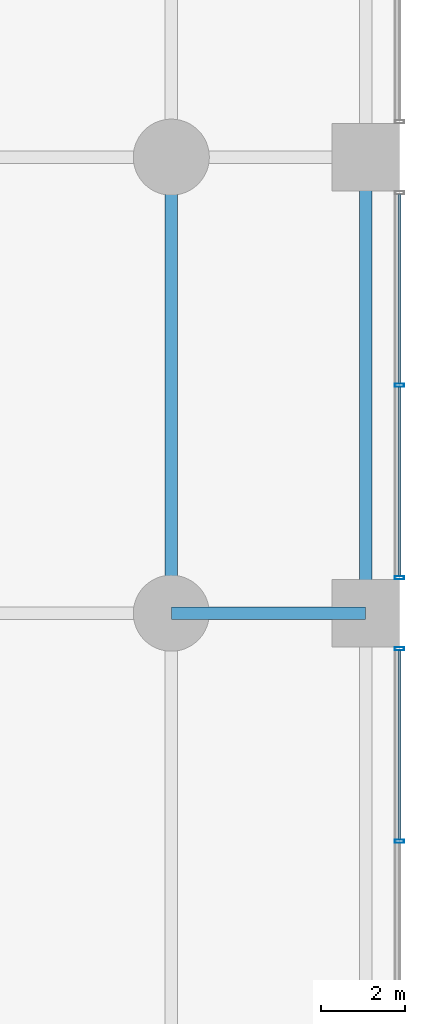
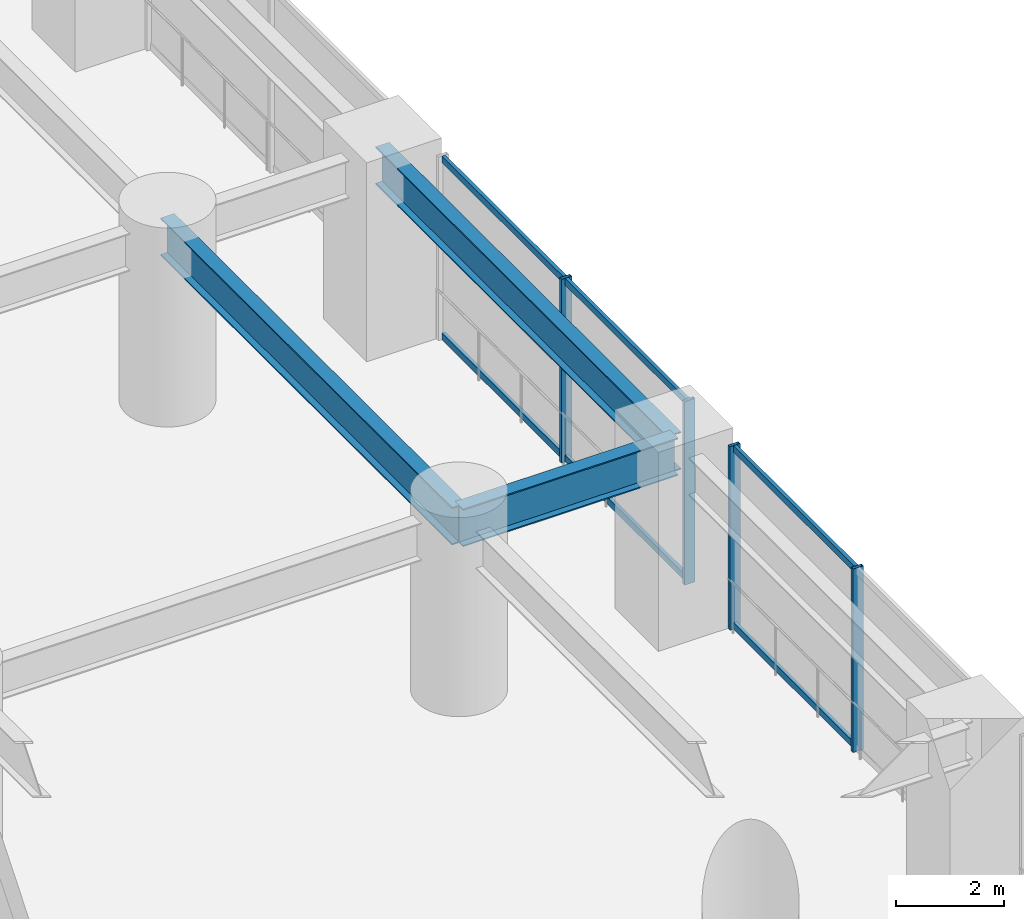
# One storey, part 20 of 35: 10 members, 3 beams, 2 elements without a shape of their own.
"""IFC4 building model written with IfcOpenShell, lengths in metres."""

from ifc_helpers import new_model, si_unit, direction, frame, origin, origin_2d, place, context, subcontext, project, spatial, hollow_rectangle, i_section, extrude, material, layer, layer_set, material_profile, profile_set, type_object, element, aggregate, save


model = new_model("IFC4")

# Units and contexts
model_context = context("Model", 3, precision=1e-05, world=origin(), true_north=direction((0.0, 1.0)))
body_context = subcontext(model_context, "Body", "Model", "MODEL_VIEW")
ifc_project = project(units=[si_unit("LENGTHUNIT", "METRE"), si_unit("AREAUNIT", "SQUARE_METRE"), si_unit("VOLUMEUNIT", "CUBIC_METRE"), si_unit("PLANEANGLEUNIT", "RADIAN"), si_unit("MASSUNIT", "GRAM", prefix="KILO")], contexts=[model_context])

# Site, building, storey
site_placement = place(None, origin())
site = spatial("IfcSite", under=ifc_project, at=site_placement, CompositionType="ELEMENT")
building_placement = place(site_placement, origin())
building = spatial("IfcBuilding", under=site, at=building_placement, Name="Surkhivell Harbour Commons", CompositionType="ELEMENT")
storey_placement = place(building_placement, frame((0.0, 0.0, 13.5)))
storey = spatial("IfcBuildingStorey", under=building, at=storey_placement, Name="L03", CompositionType="ELEMENT", Elevation=13.5)

# Beams
ifc_material_1 = material(Name="Steel S460", Category="steel")
ifc_material_profile_1 = material_profile(ifc_material_1, i_section(OverallWidth=0.2939453125, OverallDepth=0.85107421875, WebThickness=0.01611328125, FlangeThickness=0.02685546875, at=origin_2d()), Name="UB838x292x226")
ifc_profile_set_1 = profile_set([ifc_material_profile_1], Name="Steel S460")
beam_type = type_object("IfcBeamType", Name="BM-SPN-838", PredefinedType="SPANDREL", material=ifc_profile_set_1)
beam_1_placement = place(storey_placement, frame((32.39990234375, -10.800048828125, 3.724609375), z_axis=(0.0, 1.0, 0.0), x_axis=(-1.0, 0.0, 0.0)))
element("IfcBeam", 1, at=beam_1_placement, inside=storey, type_object=beam_type, Name="L03 Framing Beam (32.4,-10.8)", PredefinedType="SPANDREL", context=body_context, shape_type="SweptSolid", body=[
    extrude(i_section(OverallWidth=0.2939453125, OverallDepth=0.85107421875, WebThickness=0.01611328125, FlangeThickness=0.02685546875, at=origin_2d()), origin(), (0.0, 0.0, 1.0), 10.800048828125),
])
beam_2_placement = place(storey_placement, frame((32.39990234375, -10.800048828125, 3.724609375), z_axis=(1.0, 0.0, 0.0), x_axis=(0.0, 1.0, 0.0)))
element("IfcBeam", 2, at=beam_2_placement, inside=storey, type_object=beam_type, Name="L03 Framing Beam (32.4,-10.8)", PredefinedType="SPANDREL", context=body_context, shape_type="SweptSolid", body=[
    extrude(i_section(OverallWidth=0.2939453125, OverallDepth=0.85107421875, WebThickness=0.01611328125, FlangeThickness=0.02685546875, at=origin_2d()), origin(), (0.0, 0.0, 1.0), 4.60009765625),
])
beam_3_placement = place(storey_placement, frame((37.0, -10.800048828125, 3.724609375), z_axis=(0.0, 1.0, 0.0), x_axis=(-1.0, 0.0, 0.0)))
element("IfcBeam", 3, at=beam_3_placement, inside=storey, type_object=beam_type, Name="L03 Framing Beam (37.0,-10.8)", PredefinedType="SPANDREL", context=body_context, shape_type="SweptSolid", body=[
    extrude(i_section(OverallWidth=0.2939453125, OverallDepth=0.85107421875, WebThickness=0.01611328125, FlangeThickness=0.02685546875, at=origin_2d()), origin(), (0.0, 0.0, 1.0), 10.800048828125),
])

# Curtain wall, members
ifc_material_2 = material(Name="Anodised pale-metal aluminium and insulated glazing", Category="aluminium")
ifc_layer = layer(ifc_material_2, 0.239990234375)
ifc_layer_set = layer_set([ifc_layer], Name="Anodised pale-metal aluminium and insulated glazing")
curtain_wall_type = type_object("IfcCurtainWallType", Name="CW-SYS-POD", PredefinedType="NOTDEFINED", material=ifc_layer_set)
curtain_wall_1_placement = place(storey_placement, origin())
curtain_wall_1 = element("IfcCurtainWall", 4, at=curtain_wall_1_placement, inside=storey, type_object=curtain_wall_type, Name="L03 Curtain Wall CW-L03-E2", PredefinedType="NOTDEFINED")
ifc_material_3 = material(Name="Anodised pale-metal aluminium alloy 6063-T6", Category="aluminium")
ifc_material_profile_2 = material_profile(ifc_material_3, hollow_rectangle(XDim=0.074951171875, YDim=0.219970703125, WallThickness=0.00390625, at=origin_2d()), Name="ALU-MULL-75x220")
ifc_profile_set_2 = profile_set([ifc_material_profile_2], Name="Anodised pale-metal aluminium alloy 6063-T6")
member_type_1 = type_object("IfcMemberType", Name="CWM-220", PredefinedType="MULLION", material=ifc_profile_set_2)
member_1_placement = place(storey_placement, frame((37.800048828125, -11.639404296875, 0.0), z_axis=(0.0, 0.0, 1.0), x_axis=(0.0, -1.0, 0.0)))
member_1 = element("IfcMember", 5, at=member_1_placement, type_object=member_type_1, Name="CW-POD mullion 1", PredefinedType="MULLION", context=body_context, shape_type="SweptSolid", body=[
    extrude(hollow_rectangle(XDim=0.074951171875, YDim=0.219970703125, WallThickness=0.00390625, at=origin_2d()), origin(), (0.0, 0.0, 1.0), 4.14990234375),
])
member_2_placement = place(storey_placement, frame((37.800048828125, -16.199951171875, 0.0), z_axis=(0.0, 0.0, 1.0), x_axis=(0.0, -1.0, 0.0)))
member_2 = element("IfcMember", 6, at=member_2_placement, type_object=member_type_1, Name="CW-POD mullion 2", PredefinedType="MULLION", context=body_context, shape_type="SweptSolid", body=[
    extrude(hollow_rectangle(XDim=0.074951171875, YDim=0.219970703125, WallThickness=0.00390625, at=origin_2d()), origin(), (0.0, 0.0, 1.0), 4.14990234375),
])

curtain_wall_2_placement = place(storey_placement, origin())
curtain_wall_2 = element("IfcCurtainWall", 7, at=curtain_wall_2_placement, inside=storey, type_object=curtain_wall_type, Name="L03 Curtain Wall CW-L03-E3", PredefinedType="NOTDEFINED")
member_3_placement = place(storey_placement, frame((37.800048828125, -5.39990234375, 0.0), z_axis=(0.0, 0.0, 1.0), x_axis=(0.0, -1.0, 0.0)))
member_3 = element("IfcMember", 8, at=member_3_placement, type_object=member_type_1, Name="CW-POD mullion 2", PredefinedType="MULLION", context=body_context, shape_type="SweptSolid", body=[
    extrude(hollow_rectangle(XDim=0.074951171875, YDim=0.219970703125, WallThickness=0.00390625, at=origin_2d()), origin(), (0.0, 0.0, 1.0), 4.14990234375),
])
member_4_placement = place(storey_placement, frame((37.800048828125, -9.96044921875, 0.0), z_axis=(0.0, 0.0, 1.0), x_axis=(0.0, -1.0, 0.0)))
member_4 = element("IfcMember", 9, at=member_4_placement, type_object=member_type_1, Name="CW-POD mullion 3", PredefinedType="MULLION", context=body_context, shape_type="SweptSolid", body=[
    extrude(hollow_rectangle(XDim=0.074951171875, YDim=0.219970703125, WallThickness=0.00390625, at=origin_2d()), origin(), (0.0, 0.0, 1.0), 4.14990234375),
])

# Member
ifc_material_profile_3 = material_profile(ifc_material_3, hollow_rectangle(XDim=0.074951171875, YDim=0.14990234375, WallThickness=0.00341796875, at=origin_2d()), Name="ALU-TRAN-75x150")
ifc_profile_set_3 = profile_set([ifc_material_profile_3], Name="Anodised pale-metal aluminium alloy 6063-T6")
member_type_2 = type_object("IfcMemberType", Name="CWT-150", PredefinedType="USERDEFINED", material=ifc_profile_set_3)
member_5_placement = place(storey_placement, frame((37.800048828125, -11.677001953125, 0.074951171875), z_axis=(0.0, -1.0, 0.0), x_axis=(1.0, 0.0, 0.0)))
member_5 = element("IfcMember", 10, at=member_5_placement, type_object=member_type_2, Name="CW-POD transom 1.1", ObjectType="TRANSOM", PredefinedType="USERDEFINED", context=body_context, shape_type="SweptSolid", body=[
    extrude(hollow_rectangle(XDim=0.074951171875, YDim=0.14990234375, WallThickness=0.00341796875, at=origin_2d()), origin(), (0.0, 0.0, 1.0), 4.485595703125),
])

member_6_placement = place(storey_placement, frame((37.800048828125, -11.677001953125, 4.074951171875), z_axis=(0.0, -1.0, 0.0), x_axis=(1.0, 0.0, 0.0)))
member_6 = element("IfcMember", 11, at=member_6_placement, type_object=member_type_2, Name="CW-POD transom 1.2", ObjectType="TRANSOM", PredefinedType="USERDEFINED", context=body_context, shape_type="SweptSolid", body=[
    extrude(hollow_rectangle(XDim=0.074951171875, YDim=0.14990234375, WallThickness=0.00341796875, at=origin_2d()), origin(), (0.0, 0.0, 1.0), 4.485595703125),
])

aggregate(curtain_wall_1, [member_1, member_2, member_5, member_6])

member_7_placement = place(storey_placement, frame((37.800048828125, -0.876953125, 0.074951171875), z_axis=(0.0, -1.0, 0.0), x_axis=(1.0, 0.0, 0.0)))
member_7 = element("IfcMember", 12, at=member_7_placement, type_object=member_type_2, Name="CW-POD transom 1.1", ObjectType="TRANSOM", PredefinedType="USERDEFINED", context=body_context, shape_type="SweptSolid", body=[
    extrude(hollow_rectangle(XDim=0.074951171875, YDim=0.14990234375, WallThickness=0.00341796875, at=origin_2d()), origin(), (0.0, 0.0, 1.0), 4.485595703125),
])

member_8_placement = place(storey_placement, frame((37.800048828125, -0.876953125, 4.074951171875), z_axis=(0.0, -1.0, 0.0), x_axis=(1.0, 0.0, 0.0)))
member_8 = element("IfcMember", 13, at=member_8_placement, type_object=member_type_2, Name="CW-POD transom 1.2", ObjectType="TRANSOM", PredefinedType="USERDEFINED", context=body_context, shape_type="SweptSolid", body=[
    extrude(hollow_rectangle(XDim=0.074951171875, YDim=0.14990234375, WallThickness=0.00341796875, at=origin_2d()), origin(), (0.0, 0.0, 1.0), 4.485595703125),
])

member_9_placement = place(storey_placement, frame((37.800048828125, -5.4375, 0.074951171875), z_axis=(0.0, -1.0, 0.0), x_axis=(1.0, 0.0, 0.0)))
member_9 = element("IfcMember", 14, at=member_9_placement, type_object=member_type_2, Name="CW-POD transom 2.1", ObjectType="TRANSOM", PredefinedType="USERDEFINED", context=body_context, shape_type="SweptSolid", body=[
    extrude(hollow_rectangle(XDim=0.074951171875, YDim=0.14990234375, WallThickness=0.00341796875, at=origin_2d()), origin(), (0.0, 0.0, 1.0), 4.485595703125),
])

member_10_placement = place(storey_placement, frame((37.800048828125, -5.4375, 4.074951171875), z_axis=(0.0, -1.0, 0.0), x_axis=(1.0, 0.0, 0.0)))
member_10 = element("IfcMember", 15, at=member_10_placement, type_object=member_type_2, Name="CW-POD transom 2.2", ObjectType="TRANSOM", PredefinedType="USERDEFINED", context=body_context, shape_type="SweptSolid", body=[
    extrude(hollow_rectangle(XDim=0.074951171875, YDim=0.14990234375, WallThickness=0.00341796875, at=origin_2d()), origin(), (0.0, 0.0, 1.0), 4.485595703125),
])

aggregate(curtain_wall_2, [member_3, member_4, member_7, member_8, member_9, member_10])

save(model, "model.ifc")
